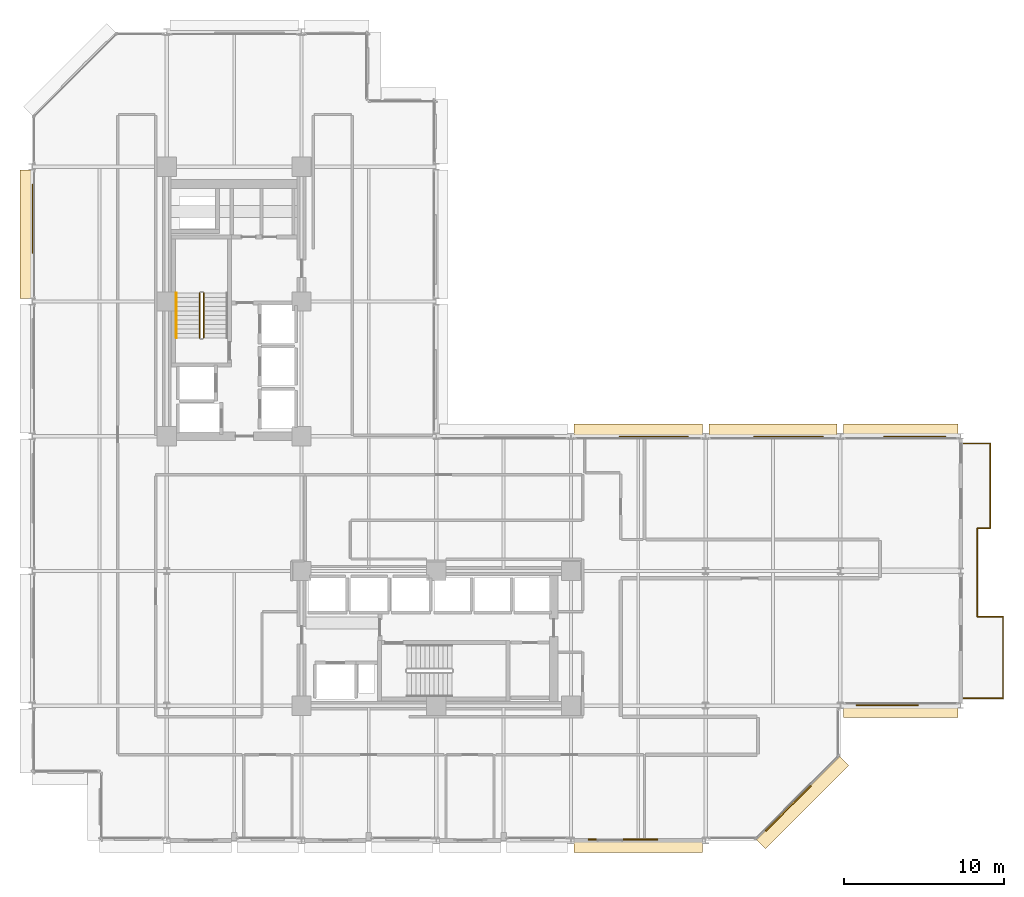
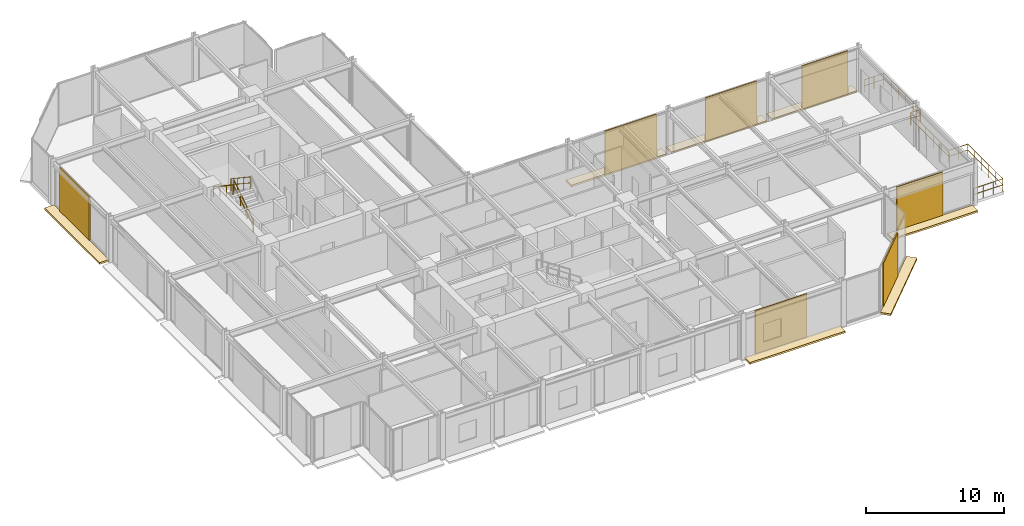
# One storey, part 38 of 39: 14 coverings, 10 railings.
"""IFC4 building model written with IfcOpenShell, lengths in metres."""

import ifcopenshell
import ifcopenshell.guid

model = None  # the IFC model being written
_history = None  # IfcOwnerHistory: only IFC2X3 demands one
_inside = {}  # id of a spatial element -> (the spatial element, [elements in it])
_under = {}  # id of a project, library or spatial element -> (it, [spatial elements below it])
_declared = {}  # id of a project -> (the project, [libraries it declares])
_typed = {}  # id of a type object -> (the type object, [elements of that type])
_made_of = {}  # id of a material, layer set ... -> (it, [elements and type objects made of it])


def new_model(schema):
    """Start an empty IFC model of exactly this schema.

    Asked for "IFC4X3", IfcOpenShell would pick the latest addendum, in which some entities
    have other attributes; the version numbers below select the first issue.
    IFC2X3 requires an IfcOwnerHistory on every rooted entity: one is made here for all.
    """
    global model, _history
    if schema == "IFC4X3":
        model = ifcopenshell.file(schema_version=(4, 3, 0, 0))
    else:
        model = ifcopenshell.file(schema=schema)
    _inside.clear()
    _under.clear()
    _declared.clear()
    _typed.clear()
    _made_of.clear()
    _history = None
    if model.schema == "IFC2X3":
        org = make("IfcOrganization", Name="unknown")
        user = make(
            "IfcPersonAndOrganization",
            ThePerson=make("IfcPerson", FamilyName="unknown"),
            TheOrganization=org,
        )
        app = make(
            "IfcApplication",
            ApplicationDeveloper=org,
            Version="unknown",
            ApplicationFullName="unknown",
            ApplicationIdentifier="unknown",
        )
        _history = make(
            "IfcOwnerHistory",
            OwningUser=user,
            OwningApplication=app,
            ChangeAction="ADDED",
            CreationDate=0,
        )
    return model


def make(cls, **values):
    """One entity of the class cls with the attributes given. An attribute that is None is left unset."""
    return model.create_entity(
        cls, **{name: value for name, value in values.items() if value is not None}
    )


def rooted(cls, **values):
    """An entity with a GlobalId (a new one), such as an element, a storey or a relation."""
    return make(cls, GlobalId=ifcopenshell.guid.new(), OwnerHistory=_history, **values)


def si_unit(unit_type, name, prefix=None):
    """IfcSIUnit, for example si_unit("LENGTHUNIT", "METRE", prefix="MILLI")."""
    return make("IfcSIUnit", UnitType=unit_type, Prefix=prefix, Name=name)


def assignment(units):
    """IfcUnitAssignment: the units of a project."""
    return None if units is None else make("IfcUnitAssignment", Units=units)


def point(xyz):
    """IfcCartesianPoint."""
    return None if xyz is None else make("IfcCartesianPoint", Coordinates=xyz)


def direction(xyz):
    """IfcDirection."""
    return None if xyz is None else make("IfcDirection", DirectionRatios=xyz)


def frame(location, z_axis=None, x_axis=None):
    """IfcAxis2Placement3D, a coordinate frame: its origin and axes. An axis left out is left unset."""
    return make(
        "IfcAxis2Placement3D",
        Location=point(location),
        Axis=direction(z_axis),
        RefDirection=direction(x_axis),
    )


def frame_2d(location, x_axis=None):
    """IfcAxis2Placement2D, a coordinate frame in the plane: its origin and x axis."""
    return make(
        "IfcAxis2Placement2D", Location=point(location), RefDirection=direction(x_axis)
    )


def origin():
    """The frame at (0, 0, 0) with its axes left unset."""
    return frame((0.0, 0.0, 0.0))


def origin_2d():
    """The frame at (0, 0) in the plane with its x axis left unset."""
    return frame_2d((0.0, 0.0))


def place(relative_to, where):
    """IfcLocalPlacement: puts the frame where relative to a parent placement (None: the world)."""
    return make(
        "IfcLocalPlacement", PlacementRelTo=relative_to, RelativePlacement=where
    )


def context(
    kind, dimensions, precision=None, world=None, true_north=None, identifier=None
):
    """IfcGeometricRepresentationContext, for example the 3D "Model" context."""
    return make(
        "IfcGeometricRepresentationContext",
        ContextIdentifier=identifier,
        ContextType=kind,
        CoordinateSpaceDimension=dimensions,
        Precision=precision,
        WorldCoordinateSystem=world,
        TrueNorth=true_north,
    )


def subcontext(parent, identifier, kind, view, scale=None):
    """IfcGeometricRepresentationSubContext, for example "Body" below "Model"."""
    return make(
        "IfcGeometricRepresentationSubContext",
        ContextIdentifier=identifier,
        ContextType=kind,
        ParentContext=parent,
        TargetScale=scale,
        TargetView=view,
    )


def project(units=None, contexts=None):
    """IfcProject with its units and contexts."""
    return rooted(
        "IfcProject",
        Name="project",
        RepresentationContexts=contexts,
        UnitsInContext=assignment(units),
    )


def spatial(cls, under=None, at=None, **own):
    """A site, building, storey or space (cls), placed at a placement, below another one or the project."""
    s = rooted(cls, ObjectPlacement=at, **own)
    if under is not None:
        _under.setdefault(under.id(), (under, []))[1].append(s)
    return s


def polyline(points):
    """IfcPolyline through the points."""
    return make("IfcPolyline", Points=[point(p) for p in points])


def profile(cls, at=None, kind="AREA", **sizes):
    """A parametric profile (cls). Its sizes go by their IFC names, for example OverallWidth=200.0."""
    return make(cls, ProfileType=kind, Position=at, **sizes)


def rectangle(**sizes):
    """IfcRectangleProfileDef."""
    return profile("IfcRectangleProfileDef", **sizes)


def circle(**sizes):
    """IfcCircleProfileDef."""
    return profile("IfcCircleProfileDef", **sizes)


def outline(outer, holes=None, kind="AREA"):
    """IfcArbitraryClosedProfileDef: a profile drawn as a closed curve; with holes, ...WithVoids."""
    if holes is None:
        return make("IfcArbitraryClosedProfileDef", ProfileType=kind, OuterCurve=outer)
    return make(
        "IfcArbitraryProfileDefWithVoids",
        ProfileType=kind,
        OuterCurve=outer,
        InnerCurves=holes,
    )


def extrude(swept, where, along, depth):
    """IfcExtrudedAreaSolid: the profile swept, set in the frame where, extruded along a direction by depth."""
    return make(
        "IfcExtrudedAreaSolid",
        SweptArea=swept,
        Position=where,
        ExtrudedDirection=direction(along),
        Depth=depth,
    )


def shape(context_of_items, identifier, shape_type, items):
    """IfcShapeRepresentation: the items that make up one representation, for example the "Body"."""
    return make(
        "IfcShapeRepresentation",
        ContextOfItems=context_of_items,
        RepresentationIdentifier=identifier,
        RepresentationType=shape_type,
        Items=items,
    )


def material(Name=None, Category=None):
    """IfcMaterial."""
    return make("IfcMaterial", Name=Name, Category=Category)


def layer(
    of_material, thickness, ventilated=None, Name=None, Category=None, Priority=None
):
    """IfcMaterialLayer: one layer of a wall or slab, of a material (None: an air gap)."""
    return make(
        "IfcMaterialLayer",
        Material=of_material,
        LayerThickness=thickness,
        IsVentilated=ventilated,
        Name=Name,
        Category=Category,
        Priority=Priority,
    )


def layer_set(layers, Name=None):
    """IfcMaterialLayerSet."""
    return make("IfcMaterialLayerSet", MaterialLayers=layers, LayerSetName=Name)


def made_of(thing, what):
    """Note that an element or type object is made of a material, layer set ...; save() writes the relation."""
    if what is not None:
        _made_of.setdefault(what.id(), (what, []))[1].append(thing)
    return thing


def type_object(cls, material=None, **own):
    """A type object (cls), such as IfcWallType, which elements share."""
    return made_of(rooted(cls, **own), material)


def element(
    cls,
    number,
    at=None,
    inside=None,
    cuts=None,
    type_object=None,
    material=None,
    context=None,
    identifier="Body",
    shape_type=None,
    held_by="IfcProductDefinitionShape",
    body=None,
    shapes=None,
    **own,
):
    """One element of the class cls, such as IfcWall. Its Tag is "e" and its number.

    at: its placement. inside: the storey or other place that contains it. cuts: it is an
    opening in that element (IfcRelVoidsElement). A single representation is given by context,
    identifier, shape_type and body (its items); several are given by shapes. held_by: the class
    of the entity that holds the representations. save() writes the other relations.
    """
    e = rooted(cls, Tag="e%d" % number, ObjectPlacement=at, **own)
    if body is not None:
        shapes = [shape(context, identifier, shape_type, body)]
    if shapes is not None:
        e.Representation = make(held_by, Representations=shapes)
    if inside is not None:
        _inside.setdefault(inside.id(), (inside, []))[1].append(e)
    if cuts is not None:
        rooted(
            "IfcRelVoidsElement", RelatingBuildingElement=cuts, RelatedOpeningElement=e
        )
    if type_object is not None:
        _typed.setdefault(type_object.id(), (type_object, []))[1].append(e)
    return made_of(e, material)


def aggregate(whole, parts):
    """IfcRelAggregates: a whole, such as a stair, and the parts it consists of."""
    return rooted("IfcRelAggregates", RelatingObject=whole, RelatedObjects=parts)


def save(model, path):
    """Write the relations noted so far, then the file.

    IfcRelAggregates (storeys below a building ...), IfcRelContainedInSpatialStructure (elements
    in a storey), IfcRelDefinesByType, IfcRelAssociatesMaterial and IfcRelDeclares: one each for
    every whole, place, type object, material and project.
    """
    for whole, parts in _under.values():
        aggregate(whole, parts)
    for where, things in _inside.values():
        rooted(
            "IfcRelContainedInSpatialStructure",
            RelatedElements=things,
            RelatingStructure=where,
        )
    for kind, things in _typed.values():
        rooted("IfcRelDefinesByType", RelatedObjects=things, RelatingType=kind)
    for what, things in _made_of.values():
        rooted("IfcRelAssociatesMaterial", RelatedObjects=things, RelatingMaterial=what)
    for by, libraries in _declared.values():
        rooted("IfcRelDeclares", RelatingContext=by, RelatedDefinitions=libraries)
    model.write(path)


model = new_model("IFC4")

# Units and contexts
model_context = context("Model", 3, precision=1e-05, world=origin(), true_north=direction((0.0, 1.0)))
body_context = subcontext(model_context, "Body", "Model", "MODEL_VIEW")
ifc_project = project(units=[si_unit("LENGTHUNIT", "METRE"), si_unit("AREAUNIT", "SQUARE_METRE"), si_unit("VOLUMEUNIT", "CUBIC_METRE"), si_unit("PLANEANGLEUNIT", "RADIAN"), si_unit("MASSUNIT", "GRAM", prefix="KILO")], contexts=[model_context])

# Site, building, storey
site_placement = place(None, origin())
site = spatial("IfcSite", under=ifc_project, at=site_placement, CompositionType="ELEMENT")
building_placement = place(site_placement, origin())
building = spatial("IfcBuilding", under=site, at=building_placement, Name="Nerrivon Quay Data Exchange", CompositionType="ELEMENT")
storey_placement = place(building_placement, frame((0.0, 0.0, 92.60009765625)))
storey = spatial("IfcBuildingStorey", under=building, at=storey_placement, Name="L21", CompositionType="ELEMENT", Elevation=92.60009765625)

# Coverings
ifc_material_1 = material(Name="Architectural terracotta ceramic", Category="masonry")
ifc_layer_1 = layer(ifc_material_1, 0.159912109375)
ifc_layer_set_1 = layer_set([ifc_layer_1], Name="Architectural terracotta ceramic")
covering_type_1 = type_object("IfcCoveringType", Name="COV-BLD-TERR", PredefinedType="CLADDING", material=ifc_layer_set_1)
covering_1_placement = place(storey_placement, frame((0.0, 0.0, -0.16015625)))
element("IfcCovering", 1, at=covering_1_placement, inside=storey, type_object=covering_type_1, Name="L21 Horizontal Terracotta SOLAR SCREEN Blade", PredefinedType="CLADDING", context=body_context, shape_type="SweptSolid", body=[
    extrude(outline(polyline([(57.744384765625, 8.43994140625), (50.60009765625, 8.43994140625), (50.60009765625, 7.64990234375), (57.744384765625, 7.64990234375), (57.744384765625, 8.43994140625)])), origin(), (0.0, 0.0, 1.0), 0.16015625),
])
covering_2_placement = place(storey_placement, frame((0.0, 0.0, -0.16015625)))
element("IfcCovering", 2, at=covering_2_placement, inside=storey, type_object=covering_type_1, Name="L21 Horizontal Terracotta SOLAR SCREEN Blade", PredefinedType="CLADDING", context=body_context, shape_type="SweptSolid", body=[
    extrude(outline(polyline([(50.37158203125, 5.228271484375), (45.171630859375, 0.0283203125), (45.730224609375, -0.5302734375), (50.930419921875, 4.669677734375), (50.37158203125, 5.228271484375)])), origin(), (0.0, 0.0, 1.0), 0.16015625),
])
covering_3_placement = place(storey_placement, frame((0.0, 0.0, -0.16015625)))
element("IfcCovering", 3, at=covering_3_placement, inside=storey, type_object=covering_type_1, Name="L21 Horizontal Terracotta SOLAR SCREEN Blade", PredefinedType="CLADDING", context=body_context, shape_type="SweptSolid", body=[
    extrude(outline(polyline([(41.800048828125, 0.0400390625), (33.800048828125, 0.0400390625), (33.800048828125, -0.75), (41.800048828125, -0.75), (41.800048828125, 0.0400390625)])), origin(), (0.0, 0.0, 1.0), 0.16015625),
])
covering_4_placement = place(storey_placement, frame((0.0, 0.0, -0.16015625)))
element("IfcCovering", 4, at=covering_4_placement, inside=storey, type_object=covering_type_1, Name="L21 Horizontal Terracotta SOLAR SCREEN Blade", PredefinedType="CLADDING", context=body_context, shape_type="SweptSolid", body=[
    extrude(outline(polyline([(0.0400390625, 33.800048828125), (0.0400390625, 41.800048828125), (-0.75, 41.800048828125), (-0.75, 33.800048828125), (0.0400390625, 33.800048828125)])), origin(), (0.0, 0.0, 1.0), 0.16015625),
])
covering_5_placement = place(storey_placement, frame((0.0, 0.0, -0.16015625)))
element("IfcCovering", 5, at=covering_5_placement, inside=storey, type_object=covering_type_1, Name="L21 Horizontal Terracotta SOLAR SCREEN Blade", PredefinedType="CLADDING", context=body_context, shape_type="SweptSolid", body=[
    extrude(outline(polyline([(33.800048828125, 25.159912109375), (41.800048828125, 25.159912109375), (41.800048828125, 25.949951171875), (33.800048828125, 25.949951171875), (33.800048828125, 25.159912109375)])), origin(), (0.0, 0.0, 1.0), 0.16015625),
])
covering_6_placement = place(storey_placement, frame((0.0, 0.0, -0.16015625)))
element("IfcCovering", 6, at=covering_6_placement, inside=storey, type_object=covering_type_1, Name="L21 Horizontal Terracotta SOLAR SCREEN Blade", PredefinedType="CLADDING", context=body_context, shape_type="SweptSolid", body=[
    extrude(outline(polyline([(42.199951171875, 25.159912109375), (50.199951171875, 25.159912109375), (50.199951171875, 25.949951171875), (42.199951171875, 25.949951171875), (42.199951171875, 25.159912109375)])), origin(), (0.0, 0.0, 1.0), 0.16015625),
])
covering_7_placement = place(storey_placement, frame((0.0, 0.0, -0.16015625)))
element("IfcCovering", 7, at=covering_7_placement, inside=storey, type_object=covering_type_1, Name="L21 Horizontal Terracotta SOLAR SCREEN Blade", PredefinedType="CLADDING", context=body_context, shape_type="SweptSolid", body=[
    extrude(outline(polyline([(50.60009765625, 25.159912109375), (57.744384765625, 25.159912109375), (57.744384765625, 25.949951171875), (50.60009765625, 25.949951171875), (50.60009765625, 25.159912109375)])), origin(), (0.0, 0.0, 1.0), 0.16015625),
])
ifc_layer_2 = layer(ifc_material_1, 0.090087890625)
ifc_layer_set_2 = layer_set([ifc_layer_2], Name="Architectural terracotta ceramic")
covering_type_2 = type_object("IfcCoveringType", Name="COV-SCR-TERR", PredefinedType="CLADDING", material=ifc_layer_set_2)
covering_8_placement = place(storey_placement, frame((53.31494140625, 8.445068359375, 0.0), z_axis=(0.0, 0.0, 1.0), x_axis=(-1.0, 0.0, 0.0)))
element("IfcCovering", 8, at=covering_8_placement, inside=storey, type_object=covering_type_2, Name="L21 Perforated Terracotta SOLAR SCREEN Cassette", PredefinedType="CLADDING", context=body_context, shape_type="SweptSolid", body=[
    extrude(rectangle(XDim=3.85791015625, YDim=0.090087890625, at=origin_2d()), origin(), (0.0, 0.0, 1.0), 3.824951171875),
])
covering_9_placement = place(storey_placement, frame((47.144287109375, 2.0078125, 0.0), z_axis=(0.0, 0.0, 1.0), x_axis=(-0.707106781187, -0.707106781187, 0.0)))
element("IfcCovering", 9, at=covering_9_placement, inside=storey, type_object=covering_type_2, Name="L21 Perforated Terracotta SOLAR SCREEN Cassette", PredefinedType="CLADDING", context=body_context, shape_type="SweptSolid", body=[
    extrude(rectangle(XDim=3.970947265625, YDim=0.090087890625, at=origin_2d()), origin(), (0.0, 0.0, 1.0), 3.824951171875),
])
for number, where, z_axis, x_axis, name in (
    (10, (36.840087890625, 0.044921875, 0.0), (0.0, 0.0, 1.0), (-1.0, 0.0, 0.0), "L21 Perforated Terracotta SOLAR SCREEN Cassette"),
    (11, (0.044921875, 38.760009765625, 0.0), (0.0, 0.0, 1.0), (0.0, 1.0, 0.0), "L21 Perforated Terracotta SOLAR SCREEN Cassette"),
    (12, (38.760009765625, 25.155029296875, 0.0), (0.0, 0.0, 1.0), (1.0, 0.0, 0.0), "L21 Perforated Terracotta SOLAR SCREEN Cassette"),
    (13, (47.159912109375, 25.155029296875, 0.0), (0.0, 0.0, 1.0), (1.0, 0.0, 0.0), "L21 Perforated Terracotta SOLAR SCREEN Cassette"),
):
    element("IfcCovering", number, at=place(storey_placement, frame(where, z_axis=z_axis, x_axis=x_axis)), inside=storey, type_object=covering_type_2, Name=name, PredefinedType="CLADDING", context=body_context, shape_type="SweptSolid", body=[
        extrude(rectangle(XDim=4.320068359375, YDim=0.090087890625, at=origin_2d()), origin(), (0.0, 0.0, 1.0), 3.824951171875),
    ])
covering_10_placement = place(storey_placement, frame((55.029541015625, 25.155029296875, 0.0), z_axis=(0.0, 0.0, 1.0), x_axis=(1.0, 0.0, 0.0)))
element("IfcCovering", 14, at=covering_10_placement, inside=storey, type_object=covering_type_2, Name="L21 Perforated Terracotta SOLAR SCREEN Cassette", PredefinedType="CLADDING", context=body_context, shape_type="SweptSolid", body=[
    extrude(rectangle(XDim=3.85791015625, YDim=0.090087890625, at=origin_2d()), origin(), (0.0, 0.0, 1.0), 3.824951171875),
])

# Railings
ifc_material_2 = material(Name="Steel Grade C350L0 (350 MPa)", Category="steel")
railing_type_1 = type_object("IfcRailingType", Name="RAIL-GUARD-GR2", PredefinedType="BALUSTRADE", material=ifc_material_2)
railing_1_placement = place(storey_placement, frame((58.93994140625, 13.93994140625, 0.0)))
element("IfcRailing", 15, at=railing_1_placement, inside=storey, type_object=railing_type_1, Name="L21 Verandah Balcony Guard 1.1 1", PredefinedType="BALUSTRADE", context=body_context, shape_type="SweptSolid", body=[
    extrude(circle(Radius=0.02392578125, at=origin_2d()), frame((0.0, 0.0, 1.09619140625), z_axis=(1.0, 0.0, 0.0), x_axis=(0.0, 1.0, 0.0)), (0.0, 0.0, 1.0), 1.60009765625),
    extrude(circle(Radius=0.02392578125, at=origin_2d()), frame((0.0, 0.0, 0.56005859375), z_axis=(1.0, 0.0, 0.0), x_axis=(0.0, 1.0, 0.0)), (0.0, 0.0, 1.0), 1.60009765625),
    extrude(circle(Radius=0.02099609375, at=origin_2d()), origin(), (0.0, 0.0, 1.0), 1.072021484375),
    extrude(circle(Radius=0.02099609375, at=origin_2d()), frame((0.800048828125, 0.0, 0.0)), (0.0, 0.0, 1.0), 1.072021484375),
    extrude(circle(Radius=0.02099609375, at=origin_2d()), frame((1.60009765625, 0.0, 0.0)), (0.0, 0.0, 1.0), 1.072021484375),
])
railing_2_placement = place(storey_placement, frame((60.5400390625, 13.93994140625, 0.0)))
element("IfcRailing", 16, at=railing_2_placement, inside=storey, type_object=railing_type_1, Name="L21 Verandah Balcony Guard 1.2 1", PredefinedType="BALUSTRADE", context=body_context, shape_type="SweptSolid", body=[
    extrude(circle(Radius=0.02392578125, at=origin_2d()), frame((0.0, 0.0, 1.09619140625), z_axis=(0.0, -1.0, 0.0), x_axis=(1.0, 0.0, 0.0)), (0.0, 0.0, 1.0), 5.079833984375),
    extrude(circle(Radius=0.02392578125, at=origin_2d()), frame((0.0, 0.0, 0.56005859375), z_axis=(0.0, -1.0, 0.0), x_axis=(1.0, 0.0, 0.0)), (0.0, 0.0, 1.0), 5.079833984375),
    extrude(circle(Radius=0.02099609375, at=origin_2d()), origin(), (0.0, 0.0, 1.0), 1.072021484375),
    extrude(circle(Radius=0.02099609375, at=origin_2d()), frame((0.0, -1.015869140625, 0.0)), (0.0, 0.0, 1.0), 1.072021484375),
    extrude(circle(Radius=0.02099609375, at=origin_2d()), frame((0.0, -2.031982421875, 0.0)), (0.0, 0.0, 1.0), 1.072021484375),
    extrude(circle(Radius=0.02099609375, at=origin_2d()), frame((0.0, -3.0478515625, 0.0)), (0.0, 0.0, 1.0), 1.072021484375),
    extrude(circle(Radius=0.02099609375, at=origin_2d()), frame((0.0, -4.06396484375, 0.0)), (0.0, 0.0, 1.0), 1.072021484375),
    extrude(circle(Radius=0.02099609375, at=origin_2d()), frame((0.0, -5.079833984375, 0.0)), (0.0, 0.0, 1.0), 1.072021484375),
])
railing_3_placement = place(storey_placement, frame((60.5400390625, 8.860107421875, 0.0)))
element("IfcRailing", 17, at=railing_3_placement, inside=storey, type_object=railing_type_1, Name="L21 Verandah Balcony Guard 1.3 1", PredefinedType="BALUSTRADE", context=body_context, shape_type="SweptSolid", body=[
    extrude(circle(Radius=0.02392578125, at=origin_2d()), frame((0.0, 0.0, 1.09619140625), z_axis=(-1.0, 0.0, 0.0), x_axis=(0.0, -1.0, 0.0)), (0.0, 0.0, 1.0), 2.4599609375),
    extrude(circle(Radius=0.02392578125, at=origin_2d()), frame((0.0, 0.0, 0.56005859375), z_axis=(-1.0, 0.0, 0.0), x_axis=(0.0, -1.0, 0.0)), (0.0, 0.0, 1.0), 2.4599609375),
    extrude(circle(Radius=0.02099609375, at=origin_2d()), origin(), (0.0, 0.0, 1.0), 1.072021484375),
    extrude(circle(Radius=0.02099609375, at=origin_2d()), frame((-0.820068359375, 0.0, 0.0)), (0.0, 0.0, 1.0), 1.072021484375),
    extrude(circle(Radius=0.02099609375, at=origin_2d()), frame((-1.639892578125, 0.0, 0.0)), (0.0, 0.0, 1.0), 1.072021484375),
    extrude(circle(Radius=0.02099609375, at=origin_2d()), frame((-2.4599609375, 0.0, 0.0)), (0.0, 0.0, 1.0), 1.072021484375),
])
railing_4_placement = place(storey_placement, frame((58.080078125, 24.739990234375, 0.0)))
element("IfcRailing", 18, at=railing_4_placement, inside=storey, type_object=railing_type_1, Name="L21 Verandah Balcony Guard 1.4 1", PredefinedType="BALUSTRADE", context=body_context, shape_type="SweptSolid", body=[
    extrude(circle(Radius=0.02392578125, at=origin_2d()), frame((0.0, 0.0, 1.09619140625), z_axis=(1.0, 0.0, 0.0), x_axis=(0.0, 1.0, 0.0)), (0.0, 0.0, 1.0), 1.659912109375),
    extrude(circle(Radius=0.02392578125, at=origin_2d()), frame((0.0, 0.0, 0.56005859375), z_axis=(1.0, 0.0, 0.0), x_axis=(0.0, 1.0, 0.0)), (0.0, 0.0, 1.0), 1.659912109375),
    extrude(circle(Radius=0.02099609375, at=origin_2d()), origin(), (0.0, 0.0, 1.0), 1.072021484375),
    extrude(circle(Radius=0.02099609375, at=origin_2d()), frame((0.830078125, 0.0, 0.0)), (0.0, 0.0, 1.0), 1.072021484375),
    extrude(circle(Radius=0.02099609375, at=origin_2d()), frame((1.659912109375, 0.0, 0.0)), (0.0, 0.0, 1.0), 1.072021484375),
])
railing_5_placement = place(storey_placement, frame((59.739990234375, 24.739990234375, 0.0)))
element("IfcRailing", 19, at=railing_5_placement, inside=storey, type_object=railing_type_1, Name="L21 Verandah Balcony Guard 1.5 1", PredefinedType="BALUSTRADE", context=body_context, shape_type="SweptSolid", body=[
    extrude(circle(Radius=0.02392578125, at=origin_2d()), frame((0.0, 0.0, 1.09619140625), z_axis=(0.0, -1.0, 0.0), x_axis=(1.0, 0.0, 0.0)), (0.0, 0.0, 1.0), 5.280029296875),
    extrude(circle(Radius=0.02392578125, at=origin_2d()), frame((0.0, 0.0, 0.56005859375), z_axis=(0.0, -1.0, 0.0), x_axis=(1.0, 0.0, 0.0)), (0.0, 0.0, 1.0), 5.280029296875),
    extrude(circle(Radius=0.02099609375, at=origin_2d()), origin(), (0.0, 0.0, 1.0), 1.072021484375),
    extrude(circle(Radius=0.02099609375, at=origin_2d()), frame((0.0, -1.055908203125, 0.0)), (0.0, 0.0, 1.0), 1.072021484375),
    extrude(circle(Radius=0.02099609375, at=origin_2d()), frame((0.0, -2.112060546875, 0.0)), (0.0, 0.0, 1.0), 1.072021484375),
    extrude(circle(Radius=0.02099609375, at=origin_2d()), frame((0.0, -3.16796875, 0.0)), (0.0, 0.0, 1.0), 1.072021484375),
    extrude(circle(Radius=0.02099609375, at=origin_2d()), frame((0.0, -4.22412109375, 0.0)), (0.0, 0.0, 1.0), 1.072021484375),
    extrude(circle(Radius=0.02099609375, at=origin_2d()), frame((0.0, -5.280029296875, 0.0)), (0.0, 0.0, 1.0), 1.072021484375),
])
railing_6_placement = place(storey_placement, frame((59.739990234375, 19.4599609375, 0.0)))
element("IfcRailing", 20, at=railing_6_placement, inside=storey, type_object=railing_type_1, Name="L21 Verandah Balcony Guard 1.6 1", PredefinedType="BALUSTRADE", context=body_context, shape_type="SweptSolid", body=[
    extrude(circle(Radius=0.02392578125, at=origin_2d()), frame((0.0, 0.0, 1.09619140625), z_axis=(-1.0, 0.0, 0.0), x_axis=(0.0, -1.0, 0.0)), (0.0, 0.0, 1.0), 0.800048828125),
    extrude(circle(Radius=0.02392578125, at=origin_2d()), frame((0.0, 0.0, 0.56005859375), z_axis=(-1.0, 0.0, 0.0), x_axis=(0.0, -1.0, 0.0)), (0.0, 0.0, 1.0), 0.800048828125),
    extrude(circle(Radius=0.02099609375, at=origin_2d()), origin(), (0.0, 0.0, 1.0), 1.072021484375),
    extrude(circle(Radius=0.02099609375, at=origin_2d()), frame((-0.800048828125, 0.0, 0.0)), (0.0, 0.0, 1.0), 1.072021484375),
])
railing_7_placement = place(storey_placement, frame((58.93994140625, 19.4599609375, 0.0)))
element("IfcRailing", 21, at=railing_7_placement, inside=storey, type_object=railing_type_1, Name="L21 Verandah Balcony Guard 1.7 1", PredefinedType="BALUSTRADE", context=body_context, shape_type="SweptSolid", body=[
    extrude(circle(Radius=0.02392578125, at=origin_2d()), frame((0.0, 0.0, 1.09619140625), z_axis=(0.0, -1.0, 0.0), x_axis=(1.0, 0.0, 0.0)), (0.0, 0.0, 1.0), 5.52001953125),
    extrude(circle(Radius=0.02392578125, at=origin_2d()), frame((0.0, 0.0, 0.56005859375), z_axis=(0.0, -1.0, 0.0), x_axis=(1.0, 0.0, 0.0)), (0.0, 0.0, 1.0), 5.52001953125),
    extrude(circle(Radius=0.02099609375, at=origin_2d()), origin(), (0.0, 0.0, 1.0), 1.072021484375),
    extrude(circle(Radius=0.02099609375, at=origin_2d()), frame((0.0, -1.10400390625, 0.0)), (0.0, 0.0, 1.0), 1.072021484375),
    extrude(circle(Radius=0.02099609375, at=origin_2d()), frame((0.0, -2.2080078125, 0.0)), (0.0, 0.0, 1.0), 1.072021484375),
    extrude(circle(Radius=0.02099609375, at=origin_2d()), frame((0.0, -3.31201171875, 0.0)), (0.0, 0.0, 1.0), 1.072021484375),
    extrude(circle(Radius=0.02099609375, at=origin_2d()), frame((0.0, -4.416015625, 0.0)), (0.0, 0.0, 1.0), 1.072021484375),
    extrude(circle(Radius=0.02099609375, at=origin_2d()), frame((0.0, -5.52001953125, 0.0)), (0.0, 0.0, 1.0), 1.072021484375),
])
railing_type_2 = type_object("IfcRailingType", Name="RAIL-HAND-HR1", PredefinedType="HANDRAIL", material=ifc_material_2)
railing_8_placement = place(storey_placement, frame((9.0, 34.1298828125, 2.236328125)))
element("IfcRailing", 22, at=railing_8_placement, inside=storey, type_object=railing_type_2, Name="L21 ST01 stair handrail 2", PredefinedType="HANDRAIL", context=body_context, shape_type="SweptSolid", body=[
    extrude(circle(Radius=0.02392578125, at=origin_2d()), frame((0.0, 0.0, 0.8759765625), z_axis=(0.0, -0.832463268671, 0.554080234545), x_axis=(1.0, 0.0, 0.0)), (0.0, 0.0, 1.0), 3.36328125),
    extrude(circle(Radius=0.02099609375, at=origin_2d()), origin(), (0.0, 0.0, 1.0), 0.851806640625),
    extrude(circle(Radius=0.02099609375, at=origin_2d()), frame((0.0, -0.933349609375, 0.62109375)), (0.0, 0.0, 1.0), 0.851806640625),
    extrude(circle(Radius=0.02099609375, at=origin_2d()), frame((0.0, -1.866455078125, 1.242431640625)), (0.0, 0.0, 1.0), 0.851806640625),
    extrude(circle(Radius=0.02099609375, at=origin_2d()), frame((0.0, -2.7998046875, 1.863525390625)), (0.0, 0.0, 1.0), 0.851806640625),
])
railing_type_3 = type_object("IfcRailingType", Name="RAIL-STAIR-GR1", PredefinedType="BALUSTRADE", material=ifc_material_2)
railing_9_placement = place(storey_placement, frame((10.699951171875, 31.330078125, 0.186279296875)))
element("IfcRailing", 23, at=railing_9_placement, inside=storey, type_object=railing_type_3, Name="L21 ST01 stair guard 1", PredefinedType="BALUSTRADE", context=body_context, shape_type="SweptSolid", body=[
    extrude(circle(Radius=0.02392578125, at=origin_2d()), frame((0.0, 0.0, 1.076171875), z_axis=(0.0, 0.832463268671, 0.554080234545), x_axis=(-1.0, 0.0, 0.0)), (0.0, 0.0, 1.0), 3.36328125),
    extrude(circle(Radius=0.02392578125, at=origin_2d()), frame((0.0, 0.0, 0.550048828125), z_axis=(0.0, 0.832463268671, 0.554080234545), x_axis=(-1.0, 0.0, 0.0)), (0.0, 0.0, 1.0), 3.36328125),
    extrude(circle(Radius=0.02099609375, at=origin_2d()), origin(), (0.0, 0.0, 1.0), 1.052001953125),
    extrude(circle(Radius=0.02099609375, at=origin_2d()), frame((0.0, 0.933349609375, 0.62109375)), (0.0, 0.0, 1.0), 1.052001953125),
    extrude(circle(Radius=0.02099609375, at=origin_2d()), frame((0.0, 1.866455078125, 1.242431640625)), (0.0, 0.0, 1.0), 1.052001953125),
    extrude(circle(Radius=0.02099609375, at=origin_2d()), frame((0.0, 2.7998046875, 1.863525390625)), (0.0, 0.0, 1.0), 1.052001953125),
])
railing_10_placement = place(storey_placement, frame((10.449951171875, 34.1298828125, 2.236328125)))
element("IfcRailing", 24, at=railing_10_placement, inside=storey, type_object=railing_type_3, Name="L21 ST01 stair guard 3", PredefinedType="BALUSTRADE", context=body_context, shape_type="SweptSolid", body=[
    extrude(circle(Radius=0.02392578125, at=origin_2d()), frame((0.0, 0.0, 1.076171875), z_axis=(0.0, -0.832463268671, 0.554080234545), x_axis=(1.0, 0.0, 0.0)), (0.0, 0.0, 1.0), 3.36328125),
    extrude(circle(Radius=0.02392578125, at=origin_2d()), frame((0.0, 0.0, 0.550048828125), z_axis=(0.0, -0.832463268671, 0.554080234545), x_axis=(1.0, 0.0, 0.0)), (0.0, 0.0, 1.0), 3.36328125),
    extrude(circle(Radius=0.02099609375, at=origin_2d()), origin(), (0.0, 0.0, 1.0), 1.052001953125),
    extrude(circle(Radius=0.02099609375, at=origin_2d()), frame((0.0, -0.933349609375, 0.62109375)), (0.0, 0.0, 1.0), 1.052001953125),
    extrude(circle(Radius=0.02099609375, at=origin_2d()), frame((0.0, -1.866455078125, 1.242431640625)), (0.0, 0.0, 1.0), 1.052001953125),
    extrude(circle(Radius=0.02099609375, at=origin_2d()), frame((0.0, -2.7998046875, 1.863525390625)), (0.0, 0.0, 1.0), 1.052001953125),
])

save(model, "model.ifc")
